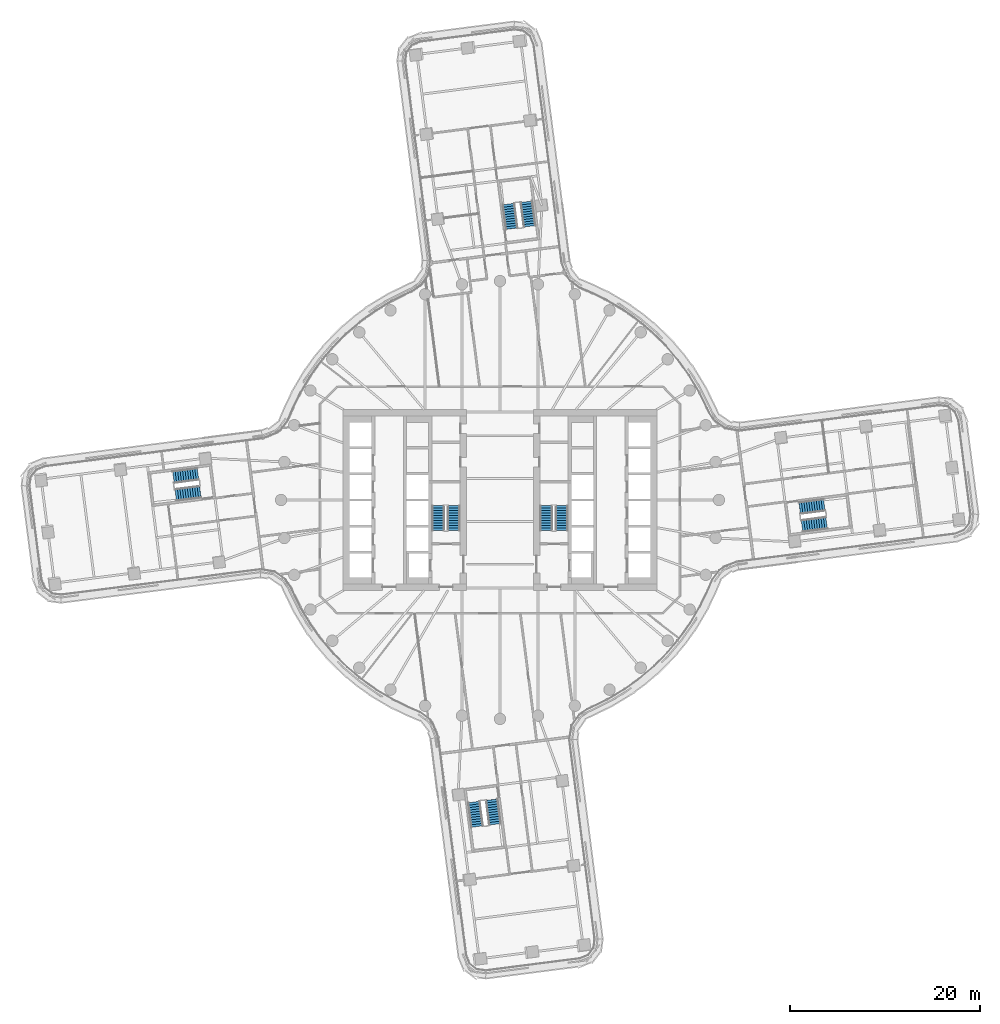
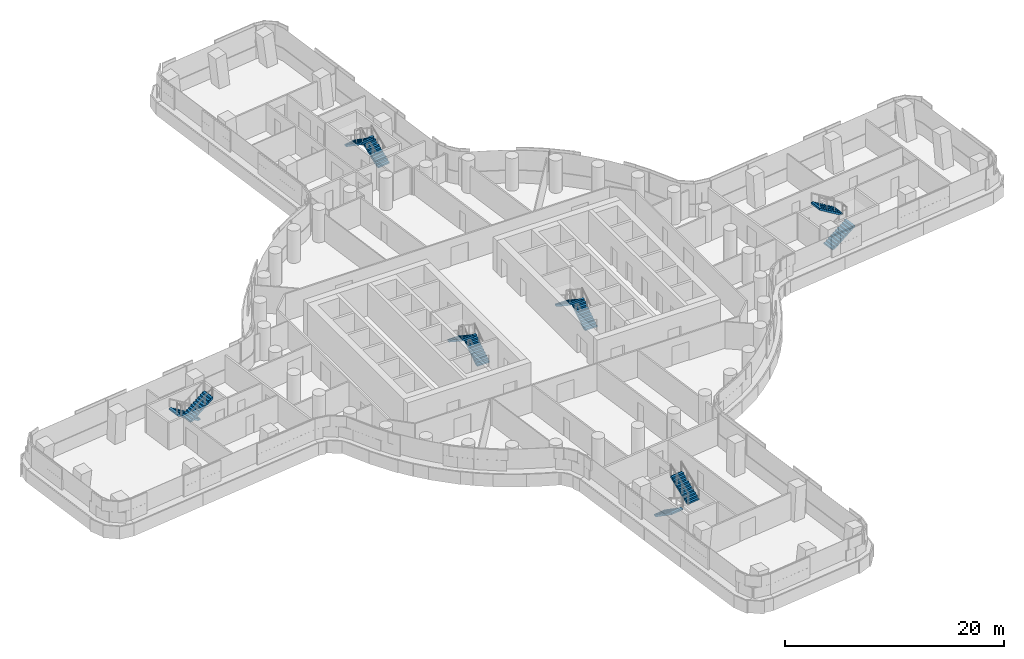
# One storey, part 24 of 31: 12 stair flights, 6 elements without a shape of their own.
"""IFC4 building model written with IfcOpenShell, lengths in metres."""

import ifcopenshell
import ifcopenshell.guid

model = None  # the IFC model being written
_history = None  # IfcOwnerHistory: only IFC2X3 demands one
_inside = {}  # id of a spatial element -> (the spatial element, [elements in it])
_under = {}  # id of a project, library or spatial element -> (it, [spatial elements below it])
_declared = {}  # id of a project -> (the project, [libraries it declares])
_typed = {}  # id of a type object -> (the type object, [elements of that type])
_made_of = {}  # id of a material, layer set ... -> (it, [elements and type objects made of it])


def new_model(schema):
    """Start an empty IFC model of exactly this schema.

    Asked for "IFC4X3", IfcOpenShell would pick the latest addendum, in which some entities
    have other attributes; the version numbers below select the first issue.
    IFC2X3 requires an IfcOwnerHistory on every rooted entity: one is made here for all.
    """
    global model, _history
    if schema == "IFC4X3":
        model = ifcopenshell.file(schema_version=(4, 3, 0, 0))
    else:
        model = ifcopenshell.file(schema=schema)
    _inside.clear()
    _under.clear()
    _declared.clear()
    _typed.clear()
    _made_of.clear()
    _history = None
    if model.schema == "IFC2X3":
        org = make("IfcOrganization", Name="unknown")
        user = make(
            "IfcPersonAndOrganization",
            ThePerson=make("IfcPerson", FamilyName="unknown"),
            TheOrganization=org,
        )
        app = make(
            "IfcApplication",
            ApplicationDeveloper=org,
            Version="unknown",
            ApplicationFullName="unknown",
            ApplicationIdentifier="unknown",
        )
        _history = make(
            "IfcOwnerHistory",
            OwningUser=user,
            OwningApplication=app,
            ChangeAction="ADDED",
            CreationDate=0,
        )
    return model


def make(cls, **values):
    """One entity of the class cls with the attributes given. An attribute that is None is left unset."""
    return model.create_entity(
        cls, **{name: value for name, value in values.items() if value is not None}
    )


def rooted(cls, **values):
    """An entity with a GlobalId (a new one), such as an element, a storey or a relation."""
    return make(cls, GlobalId=ifcopenshell.guid.new(), OwnerHistory=_history, **values)


def si_unit(unit_type, name, prefix=None):
    """IfcSIUnit, for example si_unit("LENGTHUNIT", "METRE", prefix="MILLI")."""
    return make("IfcSIUnit", UnitType=unit_type, Prefix=prefix, Name=name)


def assignment(units):
    """IfcUnitAssignment: the units of a project."""
    return None if units is None else make("IfcUnitAssignment", Units=units)


def point(xyz):
    """IfcCartesianPoint."""
    return None if xyz is None else make("IfcCartesianPoint", Coordinates=xyz)


def direction(xyz):
    """IfcDirection."""
    return None if xyz is None else make("IfcDirection", DirectionRatios=xyz)


def frame(location, z_axis=None, x_axis=None):
    """IfcAxis2Placement3D, a coordinate frame: its origin and axes. An axis left out is left unset."""
    return make(
        "IfcAxis2Placement3D",
        Location=point(location),
        Axis=direction(z_axis),
        RefDirection=direction(x_axis),
    )


def origin():
    """The frame at (0, 0, 0) with its axes left unset."""
    return frame((0.0, 0.0, 0.0))


def place(relative_to, where):
    """IfcLocalPlacement: puts the frame where relative to a parent placement (None: the world)."""
    return make(
        "IfcLocalPlacement", PlacementRelTo=relative_to, RelativePlacement=where
    )


def context(
    kind, dimensions, precision=None, world=None, true_north=None, identifier=None
):
    """IfcGeometricRepresentationContext, for example the 3D "Model" context."""
    return make(
        "IfcGeometricRepresentationContext",
        ContextIdentifier=identifier,
        ContextType=kind,
        CoordinateSpaceDimension=dimensions,
        Precision=precision,
        WorldCoordinateSystem=world,
        TrueNorth=true_north,
    )


def subcontext(parent, identifier, kind, view, scale=None):
    """IfcGeometricRepresentationSubContext, for example "Body" below "Model"."""
    return make(
        "IfcGeometricRepresentationSubContext",
        ContextIdentifier=identifier,
        ContextType=kind,
        ParentContext=parent,
        TargetScale=scale,
        TargetView=view,
    )


def project(units=None, contexts=None):
    """IfcProject with its units and contexts."""
    return rooted(
        "IfcProject",
        Name="project",
        RepresentationContexts=contexts,
        UnitsInContext=assignment(units),
    )


def spatial(cls, under=None, at=None, **own):
    """A site, building, storey or space (cls), placed at a placement, below another one or the project."""
    s = rooted(cls, ObjectPlacement=at, **own)
    if under is not None:
        _under.setdefault(under.id(), (under, []))[1].append(s)
    return s


def polyline(points):
    """IfcPolyline through the points."""
    return make("IfcPolyline", Points=[point(p) for p in points])


def outline(outer, holes=None, kind="AREA"):
    """IfcArbitraryClosedProfileDef: a profile drawn as a closed curve; with holes, ...WithVoids."""
    if holes is None:
        return make("IfcArbitraryClosedProfileDef", ProfileType=kind, OuterCurve=outer)
    return make(
        "IfcArbitraryProfileDefWithVoids",
        ProfileType=kind,
        OuterCurve=outer,
        InnerCurves=holes,
    )


def extrude(swept, where, along, depth):
    """IfcExtrudedAreaSolid: the profile swept, set in the frame where, extruded along a direction by depth."""
    return make(
        "IfcExtrudedAreaSolid",
        SweptArea=swept,
        Position=where,
        ExtrudedDirection=direction(along),
        Depth=depth,
    )


def shape(context_of_items, identifier, shape_type, items):
    """IfcShapeRepresentation: the items that make up one representation, for example the "Body"."""
    return make(
        "IfcShapeRepresentation",
        ContextOfItems=context_of_items,
        RepresentationIdentifier=identifier,
        RepresentationType=shape_type,
        Items=items,
    )


def material(Name=None, Category=None):
    """IfcMaterial."""
    return make("IfcMaterial", Name=Name, Category=Category)


def made_of(thing, what):
    """Note that an element or type object is made of a material, layer set ...; save() writes the relation."""
    if what is not None:
        _made_of.setdefault(what.id(), (what, []))[1].append(thing)
    return thing


def type_object(cls, material=None, **own):
    """A type object (cls), such as IfcWallType, which elements share."""
    return made_of(rooted(cls, **own), material)


def element(
    cls,
    number,
    at=None,
    inside=None,
    cuts=None,
    type_object=None,
    material=None,
    context=None,
    identifier="Body",
    shape_type=None,
    held_by="IfcProductDefinitionShape",
    body=None,
    shapes=None,
    **own,
):
    """One element of the class cls, such as IfcWall. Its Tag is "e" and its number.

    at: its placement. inside: the storey or other place that contains it. cuts: it is an
    opening in that element (IfcRelVoidsElement). A single representation is given by context,
    identifier, shape_type and body (its items); several are given by shapes. held_by: the class
    of the entity that holds the representations. save() writes the other relations.
    """
    e = rooted(cls, Tag="e%d" % number, ObjectPlacement=at, **own)
    if body is not None:
        shapes = [shape(context, identifier, shape_type, body)]
    if shapes is not None:
        e.Representation = make(held_by, Representations=shapes)
    if inside is not None:
        _inside.setdefault(inside.id(), (inside, []))[1].append(e)
    if cuts is not None:
        rooted(
            "IfcRelVoidsElement", RelatingBuildingElement=cuts, RelatedOpeningElement=e
        )
    if type_object is not None:
        _typed.setdefault(type_object.id(), (type_object, []))[1].append(e)
    return made_of(e, material)


def aggregate(whole, parts):
    """IfcRelAggregates: a whole, such as a stair, and the parts it consists of."""
    return rooted("IfcRelAggregates", RelatingObject=whole, RelatedObjects=parts)


def save(model, path):
    """Write the relations noted so far, then the file.

    IfcRelAggregates (storeys below a building ...), IfcRelContainedInSpatialStructure (elements
    in a storey), IfcRelDefinesByType, IfcRelAssociatesMaterial and IfcRelDeclares: one each for
    every whole, place, type object, material and project.
    """
    for whole, parts in _under.values():
        aggregate(whole, parts)
    for where, things in _inside.values():
        rooted(
            "IfcRelContainedInSpatialStructure",
            RelatedElements=things,
            RelatingStructure=where,
        )
    for kind, things in _typed.values():
        rooted("IfcRelDefinesByType", RelatedObjects=things, RelatingType=kind)
    for what, things in _made_of.values():
        rooted("IfcRelAssociatesMaterial", RelatedObjects=things, RelatingMaterial=what)
    for by, libraries in _declared.values():
        rooted("IfcRelDeclares", RelatingContext=by, RelatedDefinitions=libraries)
    model.write(path)


model = new_model("IFC4")

# Units and contexts
model_context = context("Model", 3, precision=1e-05, world=origin(), true_north=direction((0.0, 1.0)))
body_context = subcontext(model_context, "Body", "Model", "MODEL_VIEW")
ifc_project = project(units=[si_unit("LENGTHUNIT", "METRE"), si_unit("AREAUNIT", "SQUARE_METRE"), si_unit("VOLUMEUNIT", "CUBIC_METRE"), si_unit("PLANEANGLEUNIT", "RADIAN"), si_unit("MASSUNIT", "GRAM", prefix="KILO")], contexts=[model_context])

# Site, building, storey
site_placement = place(None, origin())
site = spatial("IfcSite", under=ifc_project, at=site_placement, CompositionType="ELEMENT")
building_placement = place(site_placement, origin())
building = spatial("IfcBuilding", under=site, at=building_placement, Name="Tamarind Cross Interchange Tower", CompositionType="ELEMENT")
storey_placement = place(building_placement, frame((0.0, 0.0, 60.25)))
storey = spatial("IfcBuildingStorey", under=building, at=storey_placement, Name="L13", CompositionType="ELEMENT", Elevation=60.25)

# Stair, stair flights
ifc_material_1 = material(Name="Exit stair")
stair_type = type_object("IfcStairType", Name="Exit stair", PredefinedType="HALF_TURN_STAIR", material=ifc_material_1)
stair_1_placement = place(storey_placement, origin())
stair_1 = element("IfcStair", 1, at=stair_1_placement, inside=storey, type_object=stair_type, Name="L13 exit stair ST1", PredefinedType="HALF_TURN_STAIR")
ifc_material_2 = material(Name="Exit stair flight")
stair_flight_type = type_object("IfcStairFlightType", Name="Exit stair flight", PredefinedType="STRAIGHT", material=ifc_material_2)
stair_flight_1_placement = place(storey_placement, frame((-4.85009765625, -3.199951171875, 0.0), z_axis=(0.0, 0.0, 1.0), x_axis=(0.0, 1.0, 0.0)))
stair_flight_1 = element("IfcStairFlight", 2, at=stair_flight_1_placement, type_object=stair_flight_type, Name="ST1 flight 1", NumberOfRisers=11, NumberOfTreads=10, PredefinedType="STRAIGHT", RiserHeight=0.170454545, TreadLength=0.26, context=body_context, shape_type="SweptSolid", body=[
    extrude(outline(polyline([(0.0, 0.0), (0.0, 0.17041015625), (0.260009765625, 0.17041015625), (0.260009765625, 0.3408203125), (0.52001953125, 0.3408203125), (0.52001953125, 0.511474609375), (0.780029296875, 0.511474609375), (0.780029296875, 0.681884765625), (1.0400390625, 0.681884765625), (1.0400390625, 0.852294921875), (1.300048828125, 0.852294921875), (1.300048828125, 1.022705078125), (1.56005859375, 1.022705078125), (1.56005859375, 1.193115234375), (1.820068359375, 1.193115234375), (1.820068359375, 1.363525390625), (2.080078125, 1.363525390625), (2.080078125, 1.5341796875), (2.340087890625, 1.5341796875), (2.340087890625, 1.70458984375), (2.60009765625, 1.70458984375), (2.60009765625, 1.875), (2.60009765625, 1.525390625), (0.2734375, 0.0), (0.0, 0.0)])), frame((0.0, 0.64990234375, 0.0), z_axis=(0.0, -1.0, 0.0), x_axis=(1.0, 0.0, 0.0)), (0.0, 0.0, 1.0), 1.300048828125),
])
stair_flight_2_placement = place(storey_placement, frame((-6.5, -0.60009765625, 1.875), z_axis=(0.0, 0.0, 1.0), x_axis=(0.0, -1.0, 0.0)))
stair_flight_2 = element("IfcStairFlight", 3, at=stair_flight_2_placement, type_object=stair_flight_type, Name="ST1 flight 2", NumberOfRisers=11, NumberOfTreads=10, PredefinedType="STRAIGHT", RiserHeight=0.170454545, TreadLength=0.26, context=body_context, shape_type="SweptSolid", body=[
    extrude(outline(polyline([(0.0, 0.0), (0.0, 0.17041015625), (0.260009765625, 0.17041015625), (0.260009765625, 0.3408203125), (0.52001953125, 0.3408203125), (0.52001953125, 0.511474609375), (0.780029296875, 0.511474609375), (0.780029296875, 0.681884765625), (1.0400390625, 0.681884765625), (1.0400390625, 0.852294921875), (1.300048828125, 0.852294921875), (1.300048828125, 1.022705078125), (1.56005859375, 1.022705078125), (1.56005859375, 1.193115234375), (1.820068359375, 1.193115234375), (1.820068359375, 1.363525390625), (2.080078125, 1.363525390625), (2.080078125, 1.5341796875), (2.340087890625, 1.5341796875), (2.340087890625, 1.70458984375), (2.60009765625, 1.70458984375), (2.60009765625, 1.7548828125), (2.612060546875, 1.7548828125), (2.612060546875, 1.533203125), (0.2734375, 0.0), (0.0, 0.0)])), frame((0.0, 0.64990234375, 0.0), z_axis=(0.0, -1.0, 0.0), x_axis=(1.0, 0.0, 0.0)), (0.0, 0.0, 1.0), 1.300048828125),
])
aggregate(stair_1, [stair_flight_1, stair_flight_2])

stair_2_placement = place(storey_placement, origin())
stair_2 = element("IfcStair", 4, at=stair_2_placement, inside=storey, type_object=stair_type, Name="L13 exit stair ST2", PredefinedType="HALF_TURN_STAIR")
stair_flight_3_placement = place(storey_placement, frame((6.5, -3.199951171875, 0.0), z_axis=(0.0, 0.0, 1.0), x_axis=(0.0, 1.0, 0.0)))
stair_flight_3 = element("IfcStairFlight", 5, at=stair_flight_3_placement, type_object=stair_flight_type, Name="ST2 flight 1", NumberOfRisers=11, NumberOfTreads=10, PredefinedType="STRAIGHT", RiserHeight=0.170454545, TreadLength=0.26, context=body_context, shape_type="SweptSolid", body=[
    extrude(outline(polyline([(0.0, 0.0), (0.0, 0.17041015625), (0.260009765625, 0.17041015625), (0.260009765625, 0.3408203125), (0.52001953125, 0.3408203125), (0.52001953125, 0.511474609375), (0.780029296875, 0.511474609375), (0.780029296875, 0.681884765625), (1.0400390625, 0.681884765625), (1.0400390625, 0.852294921875), (1.300048828125, 0.852294921875), (1.300048828125, 1.022705078125), (1.56005859375, 1.022705078125), (1.56005859375, 1.193115234375), (1.820068359375, 1.193115234375), (1.820068359375, 1.363525390625), (2.080078125, 1.363525390625), (2.080078125, 1.5341796875), (2.340087890625, 1.5341796875), (2.340087890625, 1.70458984375), (2.60009765625, 1.70458984375), (2.60009765625, 1.875), (2.60009765625, 1.525390625), (0.2734375, 0.0), (0.0, 0.0)])), frame((0.0, 0.64990234375, 0.0), z_axis=(0.0, -1.0, 0.0), x_axis=(1.0, 0.0, 0.0)), (0.0, 0.0, 1.0), 1.300048828125),
])
stair_flight_4_placement = place(storey_placement, frame((4.85009765625, -0.60009765625, 1.875), z_axis=(0.0, 0.0, 1.0), x_axis=(0.0, -1.0, 0.0)))
stair_flight_4 = element("IfcStairFlight", 6, at=stair_flight_4_placement, type_object=stair_flight_type, Name="ST2 flight 2", NumberOfRisers=11, NumberOfTreads=10, PredefinedType="STRAIGHT", RiserHeight=0.170454545, TreadLength=0.26, context=body_context, shape_type="SweptSolid", body=[
    extrude(outline(polyline([(0.0, 0.0), (0.0, 0.17041015625), (0.260009765625, 0.17041015625), (0.260009765625, 0.3408203125), (0.52001953125, 0.3408203125), (0.52001953125, 0.511474609375), (0.780029296875, 0.511474609375), (0.780029296875, 0.681884765625), (1.0400390625, 0.681884765625), (1.0400390625, 0.852294921875), (1.300048828125, 0.852294921875), (1.300048828125, 1.022705078125), (1.56005859375, 1.022705078125), (1.56005859375, 1.193115234375), (1.820068359375, 1.193115234375), (1.820068359375, 1.363525390625), (2.080078125, 1.363525390625), (2.080078125, 1.5341796875), (2.340087890625, 1.5341796875), (2.340087890625, 1.70458984375), (2.60009765625, 1.70458984375), (2.60009765625, 1.7548828125), (2.612060546875, 1.7548828125), (2.612060546875, 1.533203125), (0.2734375, 0.0), (0.0, 0.0)])), frame((0.0, 0.64990234375, 0.0), z_axis=(0.0, -1.0, 0.0), x_axis=(1.0, 0.0, 0.0)), (0.0, 0.0, 1.0), 1.300048828125),
])
aggregate(stair_2, [stair_flight_3, stair_flight_4])

stair_3_placement = place(storey_placement, origin())
stair_3 = element("IfcStair", 7, at=stair_3_placement, inside=storey, type_object=stair_type, Name="L13 exit stair ST3", PredefinedType="HALF_TURN_STAIR")
stair_flight_5_placement = place(storey_placement, frame((31.727294921875, -2.73388671875, 0.0), z_axis=(0.0, 0.0, 1.0), x_axis=(0.991864253985, 0.127300045824, 0.0)))
stair_flight_5 = element("IfcStairFlight", 8, at=stair_flight_5_placement, type_object=stair_flight_type, Name="ST3 flight 1", NumberOfRisers=11, NumberOfTreads=10, PredefinedType="STRAIGHT", RiserHeight=0.170454545, TreadLength=0.26, context=body_context, shape_type="SweptSolid", body=[
    extrude(outline(polyline([(0.0, 0.0), (0.0, 0.17041015625), (0.260009765625, 0.17041015625), (0.260009765625, 0.3408203125), (0.52001953125, 0.3408203125), (0.52001953125, 0.511474609375), (0.780029296875, 0.511474609375), (0.780029296875, 0.681884765625), (1.0400390625, 0.681884765625), (1.0400390625, 0.852294921875), (1.300048828125, 0.852294921875), (1.300048828125, 1.022705078125), (1.56005859375, 1.022705078125), (1.56005859375, 1.193115234375), (1.820068359375, 1.193115234375), (1.820068359375, 1.363525390625), (2.080078125, 1.363525390625), (2.080078125, 1.5341796875), (2.340087890625, 1.5341796875), (2.340087890625, 1.70458984375), (2.60009765625, 1.70458984375), (2.60009765625, 1.875), (2.60009765625, 1.525390625), (0.2734375, 0.0), (0.0, 0.0)])), frame((0.0, 0.64990234375, 0.0), z_axis=(0.0, -1.0, 0.0), x_axis=(1.0, 0.0, 0.0)), (0.0, 0.0, 1.0), 1.300048828125),
])
stair_flight_6_placement = place(storey_placement, frame((34.064208984375, -0.5185546875, 1.875), z_axis=(0.0, 0.0, 1.0), x_axis=(-0.991864253985, -0.127300045824, 0.0)))
stair_flight_6 = element("IfcStairFlight", 9, at=stair_flight_6_placement, type_object=stair_flight_type, Name="ST3 flight 2", NumberOfRisers=11, NumberOfTreads=10, PredefinedType="STRAIGHT", RiserHeight=0.170454545, TreadLength=0.26, context=body_context, shape_type="SweptSolid", body=[
    extrude(outline(polyline([(0.0, 0.0), (0.0, 0.17041015625), (0.260009765625, 0.17041015625), (0.260009765625, 0.3408203125), (0.52001953125, 0.3408203125), (0.52001953125, 0.511474609375), (0.780029296875, 0.511474609375), (0.780029296875, 0.681884765625), (1.0400390625, 0.681884765625), (1.0400390625, 0.852294921875), (1.300048828125, 0.852294921875), (1.300048828125, 1.022705078125), (1.56005859375, 1.022705078125), (1.56005859375, 1.193115234375), (1.820068359375, 1.193115234375), (1.820068359375, 1.363525390625), (2.080078125, 1.363525390625), (2.080078125, 1.5341796875), (2.340087890625, 1.5341796875), (2.340087890625, 1.70458984375), (2.60009765625, 1.70458984375), (2.60009765625, 1.7548828125), (2.612060546875, 1.7548828125), (2.612060546875, 1.533203125), (0.2734375, 0.0), (0.0, 0.0)])), frame((0.0, 0.64990234375, 0.0), z_axis=(0.0, -1.0, 0.0), x_axis=(1.0, 0.0, 0.0)), (0.0, 0.0, 1.0), 1.300048828125),
])
aggregate(stair_3, [stair_flight_5, stair_flight_6])

stair_4_placement = place(storey_placement, origin())
stair_4 = element("IfcStair", 10, at=stair_4_placement, inside=storey, type_object=stair_type, Name="L13 exit stair ST4", PredefinedType="HALF_TURN_STAIR")
stair_flight_7_placement = place(storey_placement, frame((3.115966796875, 28.75146484375, 0.0), z_axis=(0.0, 0.0, 1.0), x_axis=(-0.127300045824, 0.991864253985, 0.0)))
stair_flight_7 = element("IfcStairFlight", 11, at=stair_flight_7_placement, type_object=stair_flight_type, Name="ST4 flight 1", NumberOfRisers=11, NumberOfTreads=10, PredefinedType="STRAIGHT", RiserHeight=0.170454545, TreadLength=0.26, context=body_context, shape_type="SweptSolid", body=[
    extrude(outline(polyline([(0.0, 0.0), (0.0, 0.17041015625), (0.260009765625, 0.17041015625), (0.260009765625, 0.3408203125), (0.52001953125, 0.3408203125), (0.52001953125, 0.511474609375), (0.780029296875, 0.511474609375), (0.780029296875, 0.681884765625), (1.0400390625, 0.681884765625), (1.0400390625, 0.852294921875), (1.300048828125, 0.852294921875), (1.300048828125, 1.022705078125), (1.56005859375, 1.022705078125), (1.56005859375, 1.193115234375), (1.820068359375, 1.193115234375), (1.820068359375, 1.363525390625), (2.080078125, 1.363525390625), (2.080078125, 1.5341796875), (2.340087890625, 1.5341796875), (2.340087890625, 1.70458984375), (2.60009765625, 1.70458984375), (2.60009765625, 1.875), (2.60009765625, 1.525390625), (0.2734375, 0.0), (0.0, 0.0)])), frame((0.0, 0.64990234375, 0.0), z_axis=(0.0, -1.0, 0.0), x_axis=(1.0, 0.0, 0.0)), (0.0, 0.0, 1.0), 1.300048828125),
])
stair_flight_8_placement = place(storey_placement, frame((0.900390625, 31.088623046875, 1.875), z_axis=(0.0, 0.0, 1.0), x_axis=(0.127300045824, -0.991864253985, 0.0)))
stair_flight_8 = element("IfcStairFlight", 12, at=stair_flight_8_placement, type_object=stair_flight_type, Name="ST4 flight 2", NumberOfRisers=11, NumberOfTreads=10, PredefinedType="STRAIGHT", RiserHeight=0.170454545, TreadLength=0.26, context=body_context, shape_type="SweptSolid", body=[
    extrude(outline(polyline([(0.0, 0.0), (0.0, 0.17041015625), (0.260009765625, 0.17041015625), (0.260009765625, 0.3408203125), (0.52001953125, 0.3408203125), (0.52001953125, 0.511474609375), (0.780029296875, 0.511474609375), (0.780029296875, 0.681884765625), (1.0400390625, 0.681884765625), (1.0400390625, 0.852294921875), (1.300048828125, 0.852294921875), (1.300048828125, 1.022705078125), (1.56005859375, 1.022705078125), (1.56005859375, 1.193115234375), (1.820068359375, 1.193115234375), (1.820068359375, 1.363525390625), (2.080078125, 1.363525390625), (2.080078125, 1.5341796875), (2.340087890625, 1.5341796875), (2.340087890625, 1.70458984375), (2.60009765625, 1.70458984375), (2.60009765625, 1.7548828125), (2.612060546875, 1.7548828125), (2.612060546875, 1.533203125), (0.2734375, 0.0), (0.0, 0.0)])), frame((0.0, 0.64990234375, 0.0), z_axis=(0.0, -1.0, 0.0), x_axis=(1.0, 0.0, 0.0)), (0.0, 0.0, 1.0), 1.300048828125),
])
aggregate(stair_4, [stair_flight_7, stair_flight_8])

stair_5_placement = place(storey_placement, origin())
stair_5 = element("IfcStair", 13, at=stair_5_placement, inside=storey, type_object=stair_type, Name="L13 exit stair ST5", PredefinedType="HALF_TURN_STAIR")
stair_flight_9_placement = place(storey_placement, frame((-31.727294921875, 2.73388671875, 0.0), z_axis=(0.0, 0.0, 1.0), x_axis=(-0.991864253985, -0.127300045824, 0.0)))
stair_flight_9 = element("IfcStairFlight", 14, at=stair_flight_9_placement, type_object=stair_flight_type, Name="ST5 flight 1", NumberOfRisers=11, NumberOfTreads=10, PredefinedType="STRAIGHT", RiserHeight=0.170454545, TreadLength=0.26, context=body_context, shape_type="SweptSolid", body=[
    extrude(outline(polyline([(0.0, 0.0), (0.0, 0.17041015625), (0.260009765625, 0.17041015625), (0.260009765625, 0.3408203125), (0.52001953125, 0.3408203125), (0.52001953125, 0.511474609375), (0.780029296875, 0.511474609375), (0.780029296875, 0.681884765625), (1.0400390625, 0.681884765625), (1.0400390625, 0.852294921875), (1.300048828125, 0.852294921875), (1.300048828125, 1.022705078125), (1.56005859375, 1.022705078125), (1.56005859375, 1.193115234375), (1.820068359375, 1.193115234375), (1.820068359375, 1.363525390625), (2.080078125, 1.363525390625), (2.080078125, 1.5341796875), (2.340087890625, 1.5341796875), (2.340087890625, 1.70458984375), (2.60009765625, 1.70458984375), (2.60009765625, 1.875), (2.60009765625, 1.525390625), (0.2734375, 0.0), (0.0, 0.0)])), frame((0.0, 0.64990234375, 0.0), z_axis=(0.0, -1.0, 0.0), x_axis=(1.0, 0.0, 0.0)), (0.0, 0.0, 1.0), 1.300048828125),
])
stair_flight_10_placement = place(storey_placement, frame((-34.064208984375, 0.5185546875, 1.875), z_axis=(0.0, 0.0, 1.0), x_axis=(0.991864253985, 0.127300045824, 0.0)))
stair_flight_10 = element("IfcStairFlight", 15, at=stair_flight_10_placement, type_object=stair_flight_type, Name="ST5 flight 2", NumberOfRisers=11, NumberOfTreads=10, PredefinedType="STRAIGHT", RiserHeight=0.170454545, TreadLength=0.26, context=body_context, shape_type="SweptSolid", body=[
    extrude(outline(polyline([(0.0, 0.0), (0.0, 0.17041015625), (0.260009765625, 0.17041015625), (0.260009765625, 0.3408203125), (0.52001953125, 0.3408203125), (0.52001953125, 0.511474609375), (0.780029296875, 0.511474609375), (0.780029296875, 0.681884765625), (1.0400390625, 0.681884765625), (1.0400390625, 0.852294921875), (1.300048828125, 0.852294921875), (1.300048828125, 1.022705078125), (1.56005859375, 1.022705078125), (1.56005859375, 1.193115234375), (1.820068359375, 1.193115234375), (1.820068359375, 1.363525390625), (2.080078125, 1.363525390625), (2.080078125, 1.5341796875), (2.340087890625, 1.5341796875), (2.340087890625, 1.70458984375), (2.60009765625, 1.70458984375), (2.60009765625, 1.7548828125), (2.612060546875, 1.7548828125), (2.612060546875, 1.533203125), (0.2734375, 0.0), (0.0, 0.0)])), frame((0.0, 0.64990234375, 0.0), z_axis=(0.0, -1.0, 0.0), x_axis=(1.0, 0.0, 0.0)), (0.0, 0.0, 1.0), 1.300048828125),
])
aggregate(stair_5, [stair_flight_9, stair_flight_10])

stair_6_placement = place(storey_placement, origin())
stair_6 = element("IfcStair", 16, at=stair_6_placement, inside=storey, type_object=stair_type, Name="L13 exit stair ST6", PredefinedType="HALF_TURN_STAIR")
stair_flight_11_placement = place(storey_placement, frame((-2.73388671875, -31.727294921875, 0.0), z_axis=(0.0, 0.0, 1.0), x_axis=(0.127300045824, -0.991864253985, 0.0)))
stair_flight_11 = element("IfcStairFlight", 17, at=stair_flight_11_placement, type_object=stair_flight_type, Name="ST6 flight 1", NumberOfRisers=11, NumberOfTreads=10, PredefinedType="STRAIGHT", RiserHeight=0.170454545, TreadLength=0.26, context=body_context, shape_type="SweptSolid", body=[
    extrude(outline(polyline([(0.0, 0.0), (0.0, 0.17041015625), (0.260009765625, 0.17041015625), (0.260009765625, 0.3408203125), (0.52001953125, 0.3408203125), (0.52001953125, 0.511474609375), (0.780029296875, 0.511474609375), (0.780029296875, 0.681884765625), (1.0400390625, 0.681884765625), (1.0400390625, 0.852294921875), (1.300048828125, 0.852294921875), (1.300048828125, 1.022705078125), (1.56005859375, 1.022705078125), (1.56005859375, 1.193115234375), (1.820068359375, 1.193115234375), (1.820068359375, 1.363525390625), (2.080078125, 1.363525390625), (2.080078125, 1.5341796875), (2.340087890625, 1.5341796875), (2.340087890625, 1.70458984375), (2.60009765625, 1.70458984375), (2.60009765625, 1.875), (2.60009765625, 1.525390625), (0.2734375, 0.0), (0.0, 0.0)])), frame((0.0, 0.64990234375, 0.0), z_axis=(0.0, -1.0, 0.0), x_axis=(1.0, 0.0, 0.0)), (0.0, 0.0, 1.0), 1.300048828125),
])
stair_flight_12_placement = place(storey_placement, frame((-0.5185546875, -34.064208984375, 1.875), z_axis=(0.0, 0.0, 1.0), x_axis=(-0.127300045824, 0.991864253985, 0.0)))
stair_flight_12 = element("IfcStairFlight", 18, at=stair_flight_12_placement, type_object=stair_flight_type, Name="ST6 flight 2", NumberOfRisers=11, NumberOfTreads=10, PredefinedType="STRAIGHT", RiserHeight=0.170454545, TreadLength=0.26, context=body_context, shape_type="SweptSolid", body=[
    extrude(outline(polyline([(0.0, 0.0), (0.0, 0.17041015625), (0.260009765625, 0.17041015625), (0.260009765625, 0.3408203125), (0.52001953125, 0.3408203125), (0.52001953125, 0.511474609375), (0.780029296875, 0.511474609375), (0.780029296875, 0.681884765625), (1.0400390625, 0.681884765625), (1.0400390625, 0.852294921875), (1.300048828125, 0.852294921875), (1.300048828125, 1.022705078125), (1.56005859375, 1.022705078125), (1.56005859375, 1.193115234375), (1.820068359375, 1.193115234375), (1.820068359375, 1.363525390625), (2.080078125, 1.363525390625), (2.080078125, 1.5341796875), (2.340087890625, 1.5341796875), (2.340087890625, 1.70458984375), (2.60009765625, 1.70458984375), (2.60009765625, 1.7548828125), (2.612060546875, 1.7548828125), (2.612060546875, 1.533203125), (0.2734375, 0.0), (0.0, 0.0)])), frame((0.0, 0.64990234375, 0.0), z_axis=(0.0, -1.0, 0.0), x_axis=(1.0, 0.0, 0.0)), (0.0, 0.0, 1.0), 1.300048828125),
])
aggregate(stair_6, [stair_flight_11, stair_flight_12])

save(model, "model.ifc")
